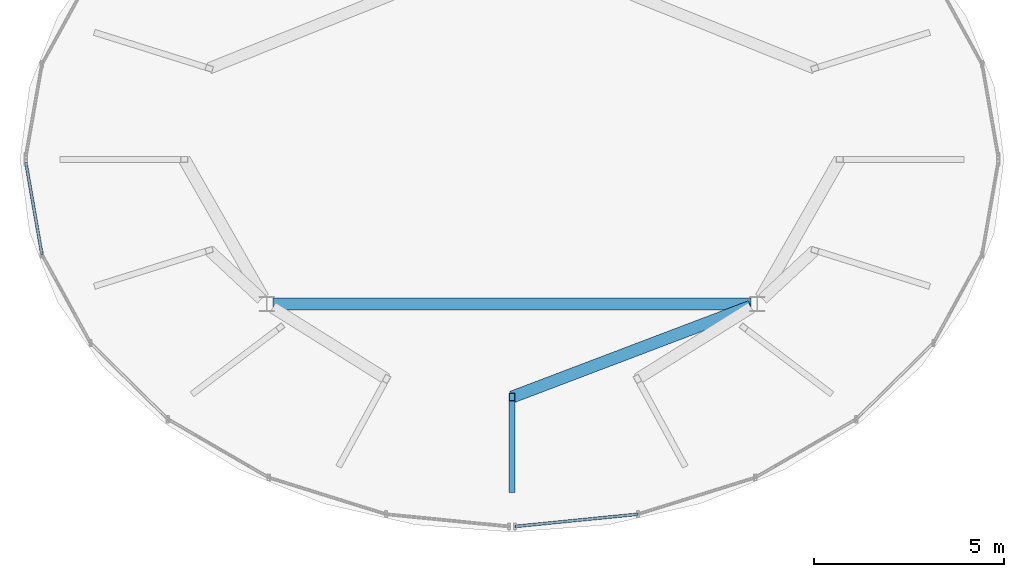
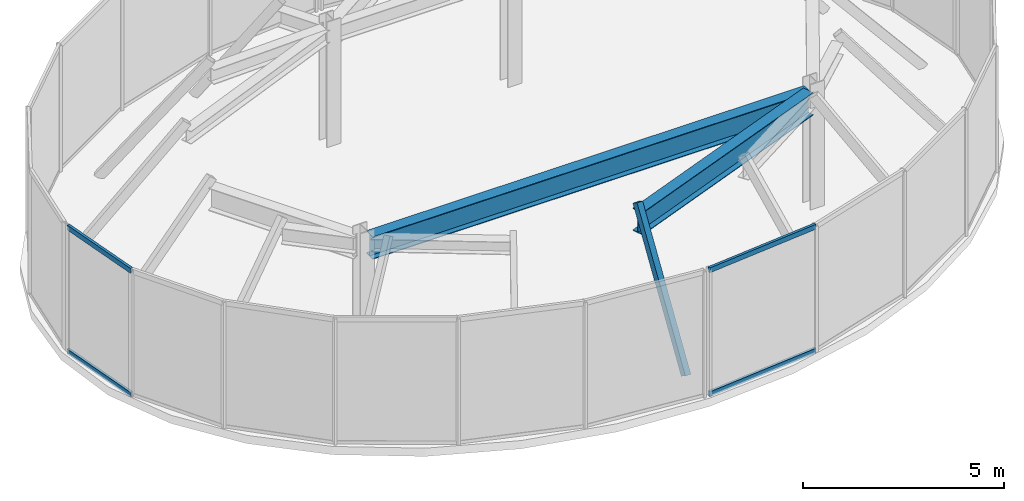
# One storey, part 3 of 10: 5 members, 2 beams, 2 elements without a shape of their own.
"""IFC4 building model written with IfcOpenShell, lengths in metres."""

from ifc_helpers import new_model, si_unit, direction, frame, origin, origin_2d, place, context, subcontext, project, spatial, hollow_rectangle, i_section, extrude, material, material_profile, profile_set, type_object, element, aggregate, save


model = new_model("IFC4")

# Units and contexts
model_context = context("Model", 3, precision=1e-05, world=origin(), true_north=direction((0.0, 1.0)))
body_context = subcontext(model_context, "Body", "Model", "MODEL_VIEW")
ifc_project = project(units=[si_unit("LENGTHUNIT", "METRE"), si_unit("AREAUNIT", "SQUARE_METRE"), si_unit("VOLUMEUNIT", "CUBIC_METRE"), si_unit("PLANEANGLEUNIT", "RADIAN"), si_unit("MASSUNIT", "GRAM", prefix="KILO")], contexts=[model_context])

# Site, building, storey
site_placement = place(None, origin())
site = spatial("IfcSite", under=ifc_project, at=site_placement, CompositionType="ELEMENT")
building_placement = place(site_placement, origin())
building = spatial("IfcBuilding", under=site, at=building_placement, Name="Vorneva Point Tower", CompositionType="ELEMENT")
storey_placement = place(building_placement, frame((0.0, 0.0, 306.800048828125)))
storey = spatial("IfcBuildingStorey", under=building, at=storey_placement, Name="C04", CompositionType="ELEMENT", Elevation=306.800048828125)

# Beams
ifc_material_1 = material(Name="Steel S355", Category="steel")
ifc_material_profile_1 = material_profile(ifc_material_1, i_section(OverallWidth=0.320068359375, OverallDepth=0.68310546875, WebThickness=0.012939453125, FlangeThickness=0.01904296875, at=origin_2d()), Name="70Sh1")
ifc_profile_set_1 = profile_set([ifc_material_profile_1], Name="Steel S355")
beam_type = type_object("IfcBeamType", Name="BM-GRD-70Sh1", PredefinedType="USERDEFINED", material=ifc_profile_set_1)
beam_1_placement = place(storey_placement, frame((38.0, 19.75, 3.20849609375), z_axis=(0.934831417083, 0.355091849576, 0.0), x_axis=(-0.355091849576, 0.934831417083, 0.0)))
element("IfcBeam", 1, at=beam_1_placement, inside=storey, type_object=beam_type, Name="C04 Radial Primary Girder 13", ObjectType="GIRDER", PredefinedType="USERDEFINED", context=body_context, shape_type="SweptSolid", body=[
    extrude(i_section(OverallWidth=0.320068359375, OverallDepth=0.68310546875, WebThickness=0.012939453125, FlangeThickness=0.01904296875, at=origin_2d()), origin(), (0.0, 0.0, 1.0), 6.709716796875),
])
beam_2_placement = place(storey_placement, frame((31.719970703125, 22.199951171875, 3.20849609375), z_axis=(1.0, 0.0, 0.0), x_axis=(0.0, 1.0, 0.0)))
element("IfcBeam", 2, at=beam_2_placement, inside=storey, type_object=beam_type, Name="C04 Core Tie Girder CT1", ObjectType="GIRDER", PredefinedType="USERDEFINED", context=body_context, shape_type="SweptSolid", body=[
    extrude(i_section(OverallWidth=0.320068359375, OverallDepth=0.68310546875, WebThickness=0.012939453125, FlangeThickness=0.01904296875, at=origin_2d()), origin(), (0.0, 0.0, 1.0), 12.56005859375),
])

# Curtain wall, members
ifc_material_2 = material(Name="Pale anodised aluminium", Category="aluminium")
curtain_wall_type = type_object("IfcCurtainWallType", Name="CW-CRN-SYS", PredefinedType="NOTDEFINED", material=ifc_material_2)
curtain_wall_1_placement = place(storey_placement, origin())
curtain_wall_1 = element("IfcCurtainWall", 3, at=curtain_wall_1_placement, inside=storey, type_object=curtain_wall_type, Name="C04 Unitised Curtain Wall CW-C04-Q3", PredefinedType="NOTDEFINED")
ifc_material_profile_2 = material_profile(ifc_material_2, hollow_rectangle(XDim=0.074951171875, YDim=0.14990234375, WallThickness=0.00390625, at=origin_2d()), Name="AL-TRN 150x75x4")
ifc_profile_set_2 = profile_set([ifc_material_profile_2], Name="Pale anodised aluminium")
member_type_1 = type_object("IfcMemberType", Name="CW-TRN-150", PredefinedType="USERDEFINED", material=ifc_profile_set_2)
member_1_placement = place(storey_placement, frame((25.2177734375, 25.921142578125, 0.02001953125), z_axis=(0.171739386977, -0.985142417603, 0.0), x_axis=(0.985142417603, 0.171739386977, 0.0)))
member_1 = element("IfcMember", 4, at=member_1_placement, type_object=member_type_1, Name="CW-C04-Q3 Transom 01.1", ObjectType="TRANSOM", PredefinedType="USERDEFINED", context=body_context, shape_type="SweptSolid", body=[
    extrude(hollow_rectangle(XDim=0.074951171875, YDim=0.14990234375, WallThickness=0.00390625, at=origin_2d()), origin(), (0.0, 0.0, 1.0), 2.4580078125),
])
member_2_placement = place(storey_placement, frame((25.2177734375, 25.921142578125, 3.780029296875), z_axis=(0.171739386977, -0.985142417603, 0.0), x_axis=(0.985142417603, 0.171739386977, 0.0)))
member_2 = element("IfcMember", 5, at=member_2_placement, type_object=member_type_1, Name="CW-C04-Q3 Transom 01.2", ObjectType="TRANSOM", PredefinedType="USERDEFINED", context=body_context, shape_type="SweptSolid", body=[
    extrude(hollow_rectangle(XDim=0.074951171875, YDim=0.14990234375, WallThickness=0.00390625, at=origin_2d()), origin(), (0.0, 0.0, 1.0), 2.4580078125),
])
aggregate(curtain_wall_1, [member_1, member_2])

curtain_wall_2_placement = place(storey_placement, origin())
curtain_wall_2 = element("IfcCurtainWall", 6, at=curtain_wall_2_placement, inside=storey, type_object=curtain_wall_type, Name="C04 Unitised Curtain Wall CW-C04-Q4", PredefinedType="NOTDEFINED")
member_3_placement = place(storey_placement, frame((38.07958984375, 16.347900390625, 0.02001953125), z_axis=(0.995095808146, 0.098915785446, 0.0), x_axis=(-0.098915785446, 0.995095808146, 0.0)))
member_3 = element("IfcMember", 7, at=member_3_placement, type_object=member_type_1, Name="CW-C04-Q4 Transom 01.1", ObjectType="TRANSOM", PredefinedType="USERDEFINED", context=body_context, shape_type="SweptSolid", body=[
    extrude(hollow_rectangle(XDim=0.074951171875, YDim=0.14990234375, WallThickness=0.00390625, at=origin_2d()), origin(), (0.0, 0.0, 1.0), 3.248046875),
])
member_4_placement = place(storey_placement, frame((38.07958984375, 16.347900390625, 3.780029296875), z_axis=(0.995095808146, 0.098915785446, 0.0), x_axis=(-0.098915785446, 0.995095808146, 0.0)))
member_4 = element("IfcMember", 8, at=member_4_placement, type_object=member_type_1, Name="CW-C04-Q4 Transom 01.2", ObjectType="TRANSOM", PredefinedType="USERDEFINED", context=body_context, shape_type="SweptSolid", body=[
    extrude(hollow_rectangle(XDim=0.074951171875, YDim=0.14990234375, WallThickness=0.00390625, at=origin_2d()), origin(), (0.0, 0.0, 1.0), 3.248046875),
])
aggregate(curtain_wall_2, [member_3, member_4])

# Member
ifc_material_profile_3 = material_profile(ifc_material_1, hollow_rectangle(XDim=0.159912109375, YDim=0.25, WallThickness=0.010009765625, at=origin_2d()), Name="PP 250x160x10")
ifc_profile_set_3 = profile_set([ifc_material_profile_3], Name="Steel S355")
member_type_2 = type_object("IfcMemberType", Name="MBR-CRN-PP250", PredefinedType="CHORD", material=ifc_profile_set_3)
member_5_placement = place(storey_placement, frame((38.0, 17.35009765625, 0.0), z_axis=(0.0, 0.533972553738, 0.845501810675), x_axis=(-1.0, 0.0, 0.0)))
element("IfcMember", 9, at=member_5_placement, inside=storey, type_object=member_type_2, Name="Crown Tapered Frame Rib C04-13", PredefinedType="CHORD", context=body_context, shape_type="SweptSolid", body=[
    extrude(hollow_rectangle(XDim=0.159912109375, YDim=0.25, WallThickness=0.010009765625, at=origin_2d()), origin(), (0.0, 0.0, 1.0), 4.494384765625),
])

save(model, "model.ifc")
